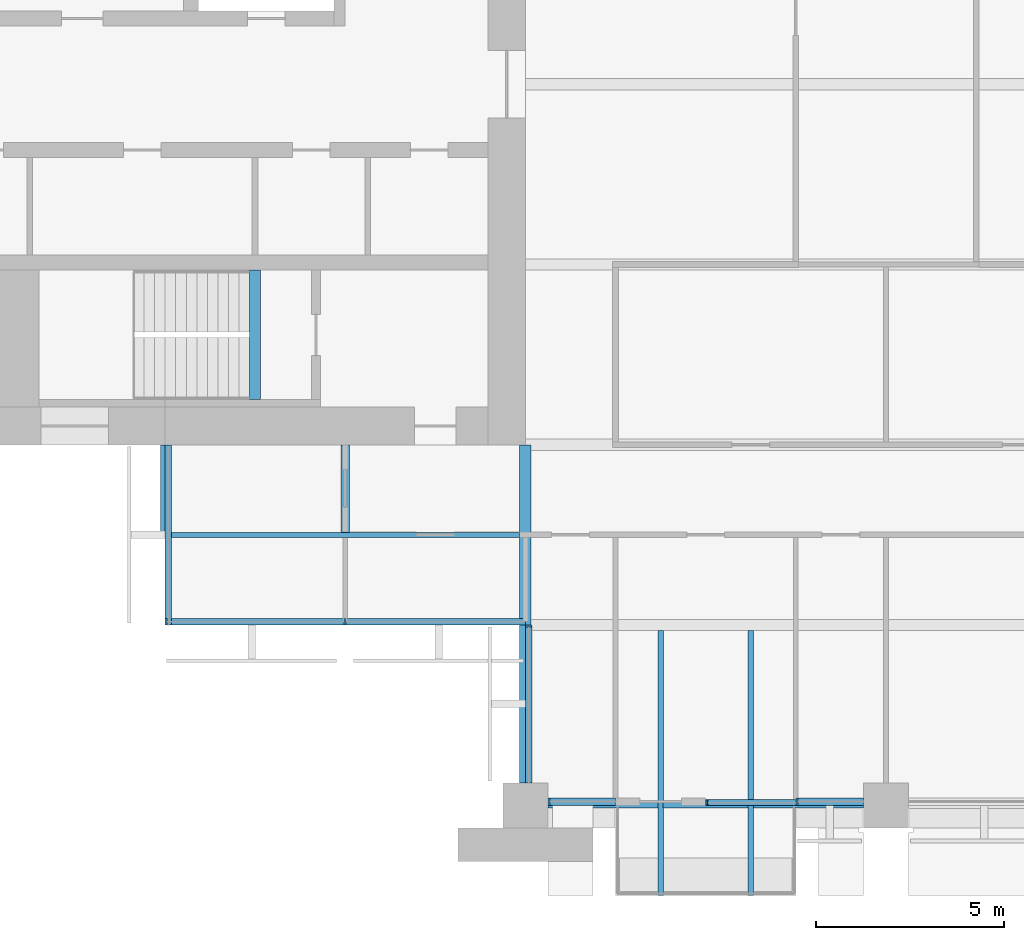
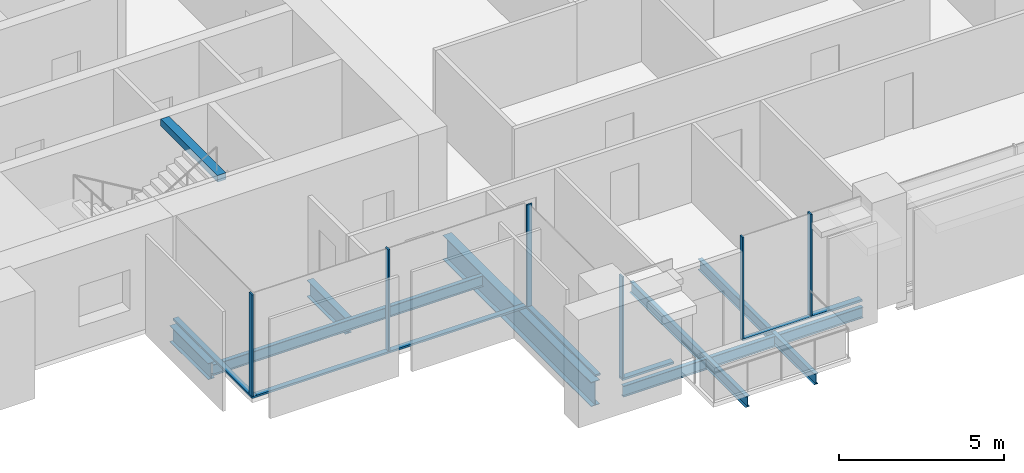
# One storey, part 2 of 15: 12 members, 10 beams, 6 elements without a shape of their own.
"""IFC4 building model written with IfcOpenShell, lengths in metres."""

import ifcopenshell
import ifcopenshell.guid

model = None  # the IFC model being written
_history = None  # IfcOwnerHistory: only IFC2X3 demands one
_inside = {}  # id of a spatial element -> (the spatial element, [elements in it])
_under = {}  # id of a project, library or spatial element -> (it, [spatial elements below it])
_declared = {}  # id of a project -> (the project, [libraries it declares])
_typed = {}  # id of a type object -> (the type object, [elements of that type])
_made_of = {}  # id of a material, layer set ... -> (it, [elements and type objects made of it])


def new_model(schema):
    """Start an empty IFC model of exactly this schema.

    Asked for "IFC4X3", IfcOpenShell would pick the latest addendum, in which some entities
    have other attributes; the version numbers below select the first issue.
    IFC2X3 requires an IfcOwnerHistory on every rooted entity: one is made here for all.
    """
    global model, _history
    if schema == "IFC4X3":
        model = ifcopenshell.file(schema_version=(4, 3, 0, 0))
    else:
        model = ifcopenshell.file(schema=schema)
    _inside.clear()
    _under.clear()
    _declared.clear()
    _typed.clear()
    _made_of.clear()
    _history = None
    if model.schema == "IFC2X3":
        org = make("IfcOrganization", Name="unknown")
        user = make(
            "IfcPersonAndOrganization",
            ThePerson=make("IfcPerson", FamilyName="unknown"),
            TheOrganization=org,
        )
        app = make(
            "IfcApplication",
            ApplicationDeveloper=org,
            Version="unknown",
            ApplicationFullName="unknown",
            ApplicationIdentifier="unknown",
        )
        _history = make(
            "IfcOwnerHistory",
            OwningUser=user,
            OwningApplication=app,
            ChangeAction="ADDED",
            CreationDate=0,
        )
    return model


def make(cls, **values):
    """One entity of the class cls with the attributes given. An attribute that is None is left unset."""
    return model.create_entity(
        cls, **{name: value for name, value in values.items() if value is not None}
    )


def rooted(cls, **values):
    """An entity with a GlobalId (a new one), such as an element, a storey or a relation."""
    return make(cls, GlobalId=ifcopenshell.guid.new(), OwnerHistory=_history, **values)


def si_unit(unit_type, name, prefix=None):
    """IfcSIUnit, for example si_unit("LENGTHUNIT", "METRE", prefix="MILLI")."""
    return make("IfcSIUnit", UnitType=unit_type, Prefix=prefix, Name=name)


def assignment(units):
    """IfcUnitAssignment: the units of a project."""
    return None if units is None else make("IfcUnitAssignment", Units=units)


def point(xyz):
    """IfcCartesianPoint."""
    return None if xyz is None else make("IfcCartesianPoint", Coordinates=xyz)


def direction(xyz):
    """IfcDirection."""
    return None if xyz is None else make("IfcDirection", DirectionRatios=xyz)


def frame(location, z_axis=None, x_axis=None):
    """IfcAxis2Placement3D, a coordinate frame: its origin and axes. An axis left out is left unset."""
    return make(
        "IfcAxis2Placement3D",
        Location=point(location),
        Axis=direction(z_axis),
        RefDirection=direction(x_axis),
    )


def frame_2d(location, x_axis=None):
    """IfcAxis2Placement2D, a coordinate frame in the plane: its origin and x axis."""
    return make(
        "IfcAxis2Placement2D", Location=point(location), RefDirection=direction(x_axis)
    )


def origin():
    """The frame at (0, 0, 0) with its axes left unset."""
    return frame((0.0, 0.0, 0.0))


def origin_2d():
    """The frame at (0, 0) in the plane with its x axis left unset."""
    return frame_2d((0.0, 0.0))


def place(relative_to, where):
    """IfcLocalPlacement: puts the frame where relative to a parent placement (None: the world)."""
    return make(
        "IfcLocalPlacement", PlacementRelTo=relative_to, RelativePlacement=where
    )


def context(
    kind, dimensions, precision=None, world=None, true_north=None, identifier=None
):
    """IfcGeometricRepresentationContext, for example the 3D "Model" context."""
    return make(
        "IfcGeometricRepresentationContext",
        ContextIdentifier=identifier,
        ContextType=kind,
        CoordinateSpaceDimension=dimensions,
        Precision=precision,
        WorldCoordinateSystem=world,
        TrueNorth=true_north,
    )


def subcontext(parent, identifier, kind, view, scale=None):
    """IfcGeometricRepresentationSubContext, for example "Body" below "Model"."""
    return make(
        "IfcGeometricRepresentationSubContext",
        ContextIdentifier=identifier,
        ContextType=kind,
        ParentContext=parent,
        TargetScale=scale,
        TargetView=view,
    )


def project(units=None, contexts=None):
    """IfcProject with its units and contexts."""
    return rooted(
        "IfcProject",
        Name="project",
        RepresentationContexts=contexts,
        UnitsInContext=assignment(units),
    )


def spatial(cls, under=None, at=None, **own):
    """A site, building, storey or space (cls), placed at a placement, below another one or the project."""
    s = rooted(cls, ObjectPlacement=at, **own)
    if under is not None:
        _under.setdefault(under.id(), (under, []))[1].append(s)
    return s


def profile(cls, at=None, kind="AREA", **sizes):
    """A parametric profile (cls). Its sizes go by their IFC names, for example OverallWidth=200.0."""
    return make(cls, ProfileType=kind, Position=at, **sizes)


def rectangle(**sizes):
    """IfcRectangleProfileDef."""
    return profile("IfcRectangleProfileDef", **sizes)


def i_section(**sizes):
    """IfcIShapeProfileDef."""
    return profile("IfcIShapeProfileDef", **sizes)


def extrude(swept, where, along, depth):
    """IfcExtrudedAreaSolid: the profile swept, set in the frame where, extruded along a direction by depth."""
    return make(
        "IfcExtrudedAreaSolid",
        SweptArea=swept,
        Position=where,
        ExtrudedDirection=direction(along),
        Depth=depth,
    )


def shape(context_of_items, identifier, shape_type, items):
    """IfcShapeRepresentation: the items that make up one representation, for example the "Body"."""
    return make(
        "IfcShapeRepresentation",
        ContextOfItems=context_of_items,
        RepresentationIdentifier=identifier,
        RepresentationType=shape_type,
        Items=items,
    )


def material(Name=None, Category=None):
    """IfcMaterial."""
    return make("IfcMaterial", Name=Name, Category=Category)


def material_profile(
    of_material, cross_section, Name=None, Category=None, Priority=None
):
    """IfcMaterialProfile: a cross section and its material."""
    return make(
        "IfcMaterialProfile",
        Name=Name,
        Material=of_material,
        Profile=cross_section,
        Priority=Priority,
        Category=Category,
    )


def profile_set(profiles, Name=None, composite=None):
    """IfcMaterialProfileSet."""
    return make(
        "IfcMaterialProfileSet",
        Name=Name,
        MaterialProfiles=profiles,
        CompositeProfile=composite,
    )


def made_of(thing, what):
    """Note that an element or type object is made of a material, layer set ...; save() writes the relation."""
    if what is not None:
        _made_of.setdefault(what.id(), (what, []))[1].append(thing)
    return thing


def type_object(cls, material=None, **own):
    """A type object (cls), such as IfcWallType, which elements share."""
    return made_of(rooted(cls, **own), material)


def element(
    cls,
    number,
    at=None,
    inside=None,
    cuts=None,
    type_object=None,
    material=None,
    context=None,
    identifier="Body",
    shape_type=None,
    held_by="IfcProductDefinitionShape",
    body=None,
    shapes=None,
    **own,
):
    """One element of the class cls, such as IfcWall. Its Tag is "e" and its number.

    at: its placement. inside: the storey or other place that contains it. cuts: it is an
    opening in that element (IfcRelVoidsElement). A single representation is given by context,
    identifier, shape_type and body (its items); several are given by shapes. held_by: the class
    of the entity that holds the representations. save() writes the other relations.
    """
    e = rooted(cls, Tag="e%d" % number, ObjectPlacement=at, **own)
    if body is not None:
        shapes = [shape(context, identifier, shape_type, body)]
    if shapes is not None:
        e.Representation = make(held_by, Representations=shapes)
    if inside is not None:
        _inside.setdefault(inside.id(), (inside, []))[1].append(e)
    if cuts is not None:
        rooted(
            "IfcRelVoidsElement", RelatingBuildingElement=cuts, RelatedOpeningElement=e
        )
    if type_object is not None:
        _typed.setdefault(type_object.id(), (type_object, []))[1].append(e)
    return made_of(e, material)


def aggregate(whole, parts):
    """IfcRelAggregates: a whole, such as a stair, and the parts it consists of."""
    return rooted("IfcRelAggregates", RelatingObject=whole, RelatedObjects=parts)


def save(model, path):
    """Write the relations noted so far, then the file.

    IfcRelAggregates (storeys below a building ...), IfcRelContainedInSpatialStructure (elements
    in a storey), IfcRelDefinesByType, IfcRelAssociatesMaterial and IfcRelDeclares: one each for
    every whole, place, type object, material and project.
    """
    for whole, parts in _under.values():
        aggregate(whole, parts)
    for where, things in _inside.values():
        rooted(
            "IfcRelContainedInSpatialStructure",
            RelatedElements=things,
            RelatingStructure=where,
        )
    for kind, things in _typed.values():
        rooted("IfcRelDefinesByType", RelatedObjects=things, RelatingType=kind)
    for what, things in _made_of.values():
        rooted("IfcRelAssociatesMaterial", RelatedObjects=things, RelatingMaterial=what)
    for by, libraries in _declared.values():
        rooted("IfcRelDeclares", RelatingContext=by, RelatedDefinitions=libraries)
    model.write(path)


model = new_model("IFC4")

# Units and contexts
model_context = context("Model", 3, precision=1e-05, world=origin(), true_north=direction((0.0, 1.0)))
body_context = subcontext(model_context, "Body", "Model", "MODEL_VIEW")
ifc_project = project(units=[si_unit("LENGTHUNIT", "METRE"), si_unit("AREAUNIT", "SQUARE_METRE"), si_unit("VOLUMEUNIT", "CUBIC_METRE"), si_unit("PLANEANGLEUNIT", "RADIAN"), si_unit("MASSUNIT", "GRAM", prefix="KILO")], contexts=[model_context])

# Site, building, storey
site_placement = place(None, origin())
site = spatial("IfcSite", under=ifc_project, at=site_placement, CompositionType="ELEMENT")
building_placement = place(site_placement, origin())
building = spatial("IfcBuilding", under=site, at=building_placement, Name="Baori Bourse Tower", CompositionType="ELEMENT")
storey_placement = place(building_placement, frame((0.0, 0.0, 152.10009765625)))
storey = spatial("IfcBuildingStorey", under=building, at=storey_placement, Name="L33", CompositionType="ELEMENT", Elevation=152.10009765625)

# Beams
ifc_material_1 = material(Name="Steel A992 Gr 50", Category="steel")
ifc_material_profile_1 = material_profile(ifc_material_1, i_section(OverallWidth=0.140380859375, OverallDepth=0.40380859375, WebThickness=0.007080078125, FlangeThickness=0.01123046875, at=origin_2d()), Name="W16x31")
ifc_profile_set_1 = profile_set([ifc_material_profile_1], Name="Steel A992 Gr 50")
beam_type_1 = type_object("IfcBeamType", Name="Balcony beam W16x31", PredefinedType="BEAM", material=ifc_profile_set_1)
for number, where, z_axis, x_axis, name in (
    (1, (22.800048828125, -2.39990234375, -0.362060546875), (0.0, 1.0, 0.0), (-1.0, 0.0, 0.0), "Balcony beam L33"),
    (2, (25.199951171875, -2.39990234375, -0.362060546875), (0.0, 1.0, 0.0), (-1.0, 0.0, 0.0), "Balcony beam L33"),
):
    element("IfcBeam", number, at=place(storey_placement, frame(where, z_axis=z_axis, x_axis=x_axis)), inside=storey, type_object=beam_type_1, Name=name, PredefinedType="BEAM", context=body_context, shape_type="SweptSolid", body=[
        extrude(i_section(OverallWidth=0.140380859375, OverallDepth=0.40380859375, WebThickness=0.007080078125, FlangeThickness=0.01123046875, at=origin_2d()), origin(), (0.0, 0.0, 1.0), 7.050048828125),
    ])

# Curtain wall, member
ifc_material_2 = material(Name="Pale anodised aluminium", Category="aluminium")
curtain_wall_type_1 = type_object("IfcCurtainWallType", Name="CW1 Curtain wall", PredefinedType="NOTDEFINED", material=ifc_material_2)
curtain_wall_1_placement = place(storey_placement, origin())
curtain_wall_1 = element("IfcCurtainWall", 3, at=curtain_wall_1_placement, inside=storey, type_object=curtain_wall_type_1, Name="Curtain wall CW1 L33 13", PredefinedType="NOTDEFINED")
ifc_material_3 = material(Name="Pale anodised aluminium", Category="aluminium")
ifc_material_profile_2 = material_profile(ifc_material_3, rectangle(XDim=0.199951171875, YDim=0.06005859375, at=origin_2d()), Name="Mullion 60x200")
ifc_profile_set_2 = profile_set([ifc_material_profile_2], Name="Pale anodised aluminium")
member_type_1 = type_object("IfcMemberType", Name="CW1 Curtain wall mullion", PredefinedType="MULLION", material=ifc_profile_set_2)
member_1_placement = place(storey_placement, frame((19.830078125, 0.10009765625, 0.079833984375), z_axis=(0.0, 0.0, 1.0), x_axis=(0.0, 1.0, 0.0)))
member_1 = element("IfcMember", 4, at=member_1_placement, type_object=member_type_1, Name="Curtain wall CW1 mullion", PredefinedType="MULLION", context=body_context, shape_type="SweptSolid", body=[
    extrude(rectangle(XDim=0.199951171875, YDim=0.06005859375, at=origin_2d()), origin(), (0.0, 0.0, 1.0), 3.760009765625),
])

curtain_wall_2_placement = place(storey_placement, origin())
curtain_wall_2 = element("IfcCurtainWall", 5, at=curtain_wall_2_placement, inside=storey, type_object=curtain_wall_type_1, Name="Curtain wall CW1 L33 15", PredefinedType="NOTDEFINED")
member_2_placement = place(storey_placement, frame((26.429931640625, 0.10009765625, 0.079833984375), z_axis=(0.0, 0.0, 1.0), x_axis=(0.0, 1.0, 0.0)))
member_2 = element("IfcMember", 6, at=member_2_placement, type_object=member_type_1, Name="Curtain wall CW1 mullion", PredefinedType="MULLION", context=body_context, shape_type="SweptSolid", body=[
    extrude(rectangle(XDim=0.199951171875, YDim=0.06005859375, at=origin_2d()), origin(), (0.0, 0.0, 1.0), 3.760009765625),
])

# Member
ifc_material_4 = material(Name="Pale anodised aluminium", Category="aluminium")
ifc_material_profile_3 = material_profile(ifc_material_4, rectangle(XDim=0.199951171875, YDim=0.080078125, at=origin_2d()), Name="Transom 80x200")
ifc_profile_set_3 = profile_set([ifc_material_profile_3], Name="Pale anodised aluminium")
member_type_2 = type_object("IfcMemberType", Name="CW1 Curtain wall transom", PredefinedType="USERDEFINED", material=ifc_profile_set_3)
member_3_placement = place(storey_placement, frame((19.800048828125, 0.10009765625, 0.039794921875), z_axis=(1.0, 0.0, 0.0), x_axis=(0.0, 1.0, 0.0)))
member_3 = element("IfcMember", 7, at=member_3_placement, type_object=member_type_2, Name="Curtain wall CW1 sill rail", ObjectType="TRANSOM", PredefinedType="USERDEFINED", context=body_context, shape_type="SweptSolid", body=[
    extrude(rectangle(XDim=0.199951171875, YDim=0.080078125, at=origin_2d()), origin(), (0.0, 0.0, 1.0), 1.800048828125),
])

aggregate(curtain_wall_1, [member_3, member_1])

member_4_placement = place(storey_placement, frame((26.39990234375, 0.10009765625, 0.039794921875), z_axis=(1.0, 0.0, 0.0), x_axis=(0.0, 1.0, 0.0)))
member_4 = element("IfcMember", 8, at=member_4_placement, type_object=member_type_2, Name="Curtain wall CW1 sill rail", ObjectType="TRANSOM", PredefinedType="USERDEFINED", context=body_context, shape_type="SweptSolid", body=[
    extrude(rectangle(XDim=0.199951171875, YDim=0.080078125, at=origin_2d()), origin(), (0.0, 0.0, 1.0), 1.800048828125),
])

aggregate(curtain_wall_2, [member_4, member_2])

# Curtain wall, members
ifc_material_5 = material(Name="Pale anodised aluminium", Category="aluminium")
curtain_wall_type_2 = type_object("IfcCurtainWallType", Name="CW2 Curtain wall", PredefinedType="NOTDEFINED", material=ifc_material_5)
curtain_wall_3_placement = place(storey_placement, origin())
curtain_wall_3 = element("IfcCurtainWall", 9, at=curtain_wall_3_placement, inside=storey, type_object=curtain_wall_type_2, Name="Curtain wall CW2 L33 11", PredefinedType="NOTDEFINED")
ifc_material_6 = material(Name="Pale anodised aluminium", Category="aluminium")
ifc_material_profile_4 = material_profile(ifc_material_6, rectangle(XDim=0.179931640625, YDim=0.054931640625, at=origin_2d()), Name="Mullion 55x180")
ifc_profile_set_4 = profile_set([ifc_material_profile_4], Name="Pale anodised aluminium")
member_type_3 = type_object("IfcMemberType", Name="CW2 Curtain wall mullion", PredefinedType="MULLION", material=ifc_profile_set_4)
member_5_placement = place(storey_placement, frame((9.62744140625, 4.889892578125, 0.06982421875), z_axis=(0.0, 0.0, 1.0), x_axis=(0.0, 1.0, 0.0)))
member_5 = element("IfcMember", 10, at=member_5_placement, type_object=member_type_3, Name="Curtain wall CW2 mullion", PredefinedType="MULLION", context=body_context, shape_type="SweptSolid", body=[
    extrude(rectangle(XDim=0.179931640625, YDim=0.054931640625, at=origin_2d()), origin(), (0.0, 0.0, 1.0), 3.77001953125),
])
member_6_placement = place(storey_placement, frame((14.39990234375, 4.889892578125, 0.06982421875), z_axis=(0.0, 0.0, 1.0), x_axis=(0.0, 1.0, 0.0)))
member_6 = element("IfcMember", 11, at=member_6_placement, type_object=member_type_3, Name="Curtain wall CW2 mullion", PredefinedType="MULLION", context=body_context, shape_type="SweptSolid", body=[
    extrude(rectangle(XDim=0.179931640625, YDim=0.054931640625, at=origin_2d()), origin(), (0.0, 0.0, 1.0), 3.77001953125),
])

# Curtain wall, member
curtain_wall_4_placement = place(storey_placement, origin())
curtain_wall_4 = element("IfcCurtainWall", 12, at=curtain_wall_4_placement, inside=storey, type_object=curtain_wall_type_2, Name="Curtain wall CW2 L33 12", PredefinedType="NOTDEFINED")
member_7_placement = place(storey_placement, frame((19.2900390625, 4.7724609375, 0.06982421875), z_axis=(0.0, 0.0, 1.0), x_axis=(1.0, 0.0, 0.0)))
member_7 = element("IfcMember", 13, at=member_7_placement, type_object=member_type_3, Name="Curtain wall CW2 mullion", PredefinedType="MULLION", context=body_context, shape_type="SweptSolid", body=[
    extrude(rectangle(XDim=0.179931640625, YDim=0.054931640625, at=origin_2d()), origin(), (0.0, 0.0, 1.0), 3.77001953125),
])

curtain_wall_5_placement = place(storey_placement, origin())
curtain_wall_5 = element("IfcCurtainWall", 14, at=curtain_wall_5_placement, inside=storey, type_object=curtain_wall_type_2, Name="Curtain wall CW2 L33 10", PredefinedType="NOTDEFINED")
ifc_material_7 = material(Name="Pale anodised aluminium", Category="aluminium")
ifc_material_profile_5 = material_profile(ifc_material_7, rectangle(XDim=0.179931640625, YDim=0.070068359375, at=origin_2d()), Name="Transom 70x180")
ifc_profile_set_5 = profile_set([ifc_material_profile_5], Name="Pale anodised aluminium")
member_type_4 = type_object("IfcMemberType", Name="CW2 Curtain wall transom", PredefinedType="USERDEFINED", material=ifc_profile_set_5)
member_8_placement = place(storey_placement, frame((9.68994140625, 9.60009765625, 0.034912109375), z_axis=(0.0, -1.0, 0.0), x_axis=(1.0, 0.0, 0.0)))
member_8 = element("IfcMember", 15, at=member_8_placement, type_object=member_type_4, Name="Curtain wall CW2 sill rail", ObjectType="TRANSOM", PredefinedType="USERDEFINED", context=body_context, shape_type="SweptSolid", body=[
    extrude(rectangle(XDim=0.179931640625, YDim=0.070068359375, at=origin_2d()), origin(), (0.0, 0.0, 1.0), 4.800048828125),
])
aggregate(curtain_wall_5, [member_8])

# Member
member_9_placement = place(storey_placement, frame((9.60009765625, 4.889892578125, 0.034912109375), z_axis=(1.0, 0.0, 0.0), x_axis=(0.0, 1.0, 0.0)))
member_9 = element("IfcMember", 16, at=member_9_placement, type_object=member_type_4, Name="Curtain wall CW2 sill rail", ObjectType="TRANSOM", PredefinedType="USERDEFINED", context=body_context, shape_type="SweptSolid", body=[
    extrude(rectangle(XDim=0.179931640625, YDim=0.070068359375, at=origin_2d()), origin(), (0.0, 0.0, 1.0), 9.599853515625),
])

aggregate(curtain_wall_3, [member_9, member_5, member_6])

member_10_placement = place(storey_placement, frame((19.2900390625, 4.800048828125, 0.034912109375), z_axis=(0.0, -1.0, 0.0), x_axis=(1.0, 0.0, 0.0)))
member_10 = element("IfcMember", 17, at=member_10_placement, type_object=member_type_4, Name="Curtain wall CW2 sill rail", ObjectType="TRANSOM", PredefinedType="USERDEFINED", context=body_context, shape_type="SweptSolid", body=[
    extrude(rectangle(XDim=0.179931640625, YDim=0.070068359375, at=origin_2d()), origin(), (0.0, 0.0, 1.0), 4.199951171875),
])

aggregate(curtain_wall_4, [member_10, member_7])

# Curtain wall, members
ifc_material_8 = material(Name="Pale anodised aluminium", Category="aluminium")
curtain_wall_type_3 = type_object("IfcCurtainWallType", Name="CW6 Curtain wall", PredefinedType="NOTDEFINED", material=ifc_material_8)
curtain_wall_6_placement = place(storey_placement, origin())
curtain_wall_6 = element("IfcCurtainWall", 18, at=curtain_wall_6_placement, inside=storey, type_object=curtain_wall_type_3, Name="Curtain wall CW6 L33 14", PredefinedType="NOTDEFINED")
ifc_material_9 = material(Name="Pale anodised aluminium", Category="aluminium")
ifc_material_profile_6 = material_profile(ifc_material_9, rectangle(XDim=0.14990234375, YDim=0.050048828125, at=origin_2d()), Name="Mullion 50x150")
ifc_profile_set_6 = profile_set([ifc_material_profile_6], Name="Pale anodised aluminium")
member_type_5 = type_object("IfcMemberType", Name="CW6 Curtain wall mullion", PredefinedType="MULLION", material=ifc_profile_set_6)
member_11_placement = place(storey_placement, frame((24.02490234375, 0.074951171875, 0.06494140625), z_axis=(0.0, 0.0, 1.0), x_axis=(0.0, 1.0, 0.0)))
member_11 = element("IfcMember", 19, at=member_11_placement, type_object=member_type_5, Name="Curtain wall CW6 mullion", PredefinedType="MULLION", context=body_context, shape_type="SweptSolid", body=[
    extrude(rectangle(XDim=0.14990234375, YDim=0.050048828125, at=origin_2d()), origin(), (0.0, 0.0, 1.0), 3.77490234375),
])
ifc_material_10 = material(Name="Pale anodised aluminium", Category="aluminium")
ifc_material_profile_7 = material_profile(ifc_material_10, rectangle(XDim=0.14990234375, YDim=0.06494140625, at=origin_2d()), Name="Transom 65x150")
ifc_profile_set_7 = profile_set([ifc_material_profile_7], Name="Pale anodised aluminium")
member_type_6 = type_object("IfcMemberType", Name="CW6 Curtain wall transom", PredefinedType="USERDEFINED", material=ifc_profile_set_7)
member_12_placement = place(storey_placement, frame((24.0, 0.074951171875, 0.032470703125), z_axis=(1.0, 0.0, 0.0), x_axis=(0.0, 1.0, 0.0)))
member_12 = element("IfcMember", 20, at=member_12_placement, type_object=member_type_6, Name="Curtain wall CW6 sill rail", ObjectType="TRANSOM", PredefinedType="USERDEFINED", context=body_context, shape_type="SweptSolid", body=[
    extrude(rectangle(XDim=0.14990234375, YDim=0.06494140625, at=origin_2d()), origin(), (0.0, 0.0, 1.0), 2.39990234375),
])
aggregate(curtain_wall_6, [member_12, member_11])

# Beams
ifc_material_11 = material(Name="Steel A992 Gr 50", Category="steel")
ifc_material_profile_8 = material_profile(ifc_material_11, i_section(OverallWidth=0.227783203125, OverallDepth=0.60205078125, WebThickness=0.010498046875, FlangeThickness=0.014892578125, at=origin_2d()), Name="W24x68")
ifc_profile_set_8 = profile_set([ifc_material_profile_8], Name="Steel A992 Gr 50")
beam_type_2 = type_object("IfcBeamType", Name="Core bracket W24x68", PredefinedType="BEAM", material=ifc_profile_set_8)
for number, where, z_axis, x_axis, name in (
    (21, (9.60009765625, 7.270263671875, -0.461181640625), (0.0, 1.0, 0.0), (-1.0, 0.0, 0.0), "Core bracket L33"),
    (22, (14.39990234375, 7.270263671875, -0.461181640625), (0.0, 1.0, 0.0), (-1.0, 0.0, 0.0), "Core bracket L33"),
):
    element("IfcBeam", number, at=place(storey_placement, frame(where, z_axis=z_axis, x_axis=x_axis)), inside=storey, type_object=beam_type_2, Name=name, PredefinedType="BEAM", context=body_context, shape_type="SweptSolid", body=[
        extrude(i_section(OverallWidth=0.227783203125, OverallDepth=0.60205078125, WebThickness=0.010498046875, FlangeThickness=0.014892578125, at=origin_2d()), origin(), (0.0, 0.0, 1.0), 2.329833984375),
    ])
ifc_material_12 = material(Name="Steel A992 Gr 50", Category="steel")
ifc_material_profile_9 = material_profile(ifc_material_12, i_section(OverallWidth=0.140380859375, OverallDepth=0.40380859375, WebThickness=0.007080078125, FlangeThickness=0.01123046875, at=origin_2d()), Name="W16x31")
ifc_profile_set_9 = profile_set([ifc_material_profile_9], Name="Steel A992 Gr 50")
beam_type_3 = type_object("IfcBeamType", Name="Edge beam W16x31", PredefinedType="BEAM", material=ifc_profile_set_9)
beam_1_placement = place(storey_placement, frame((19.800048828125, 0.0, -0.362060546875), z_axis=(1.0, 0.0, 0.0), x_axis=(0.0, 1.0, 0.0)))
element("IfcBeam", 23, at=beam_1_placement, inside=storey, type_object=beam_type_3, Name="Edge beam L33", PredefinedType="BEAM", context=body_context, shape_type="SweptSolid", body=[
    extrude(i_section(OverallWidth=0.140380859375, OverallDepth=0.40380859375, WebThickness=0.007080078125, FlangeThickness=0.01123046875, at=origin_2d()), origin(), (0.0, 0.0, 1.0), 2.9296875),
])
beam_2_placement = place(storey_placement, frame((22.8701171875, 0.0, -0.362060546875), z_axis=(1.0, 0.0, 0.0), x_axis=(0.0, 1.0, 0.0)))
element("IfcBeam", 24, at=beam_2_placement, inside=storey, type_object=beam_type_3, Name="Edge beam L33", PredefinedType="BEAM", context=body_context, shape_type="SweptSolid", body=[
    extrude(i_section(OverallWidth=0.140380859375, OverallDepth=0.40380859375, WebThickness=0.007080078125, FlangeThickness=0.01123046875, at=origin_2d()), origin(), (0.0, 0.0, 1.0), 2.259765625),
])
beam_3_placement = place(storey_placement, frame((25.270263671875, 0.0, -0.362060546875), z_axis=(1.0, 0.0, 0.0), x_axis=(0.0, 1.0, 0.0)))
element("IfcBeam", 25, at=beam_3_placement, inside=storey, type_object=beam_type_3, Name="Edge beam L33", PredefinedType="BEAM", context=body_context, shape_type="SweptSolid", body=[
    extrude(i_section(OverallWidth=0.140380859375, OverallDepth=0.40380859375, WebThickness=0.007080078125, FlangeThickness=0.01123046875, at=origin_2d()), origin(), (0.0, 0.0, 1.0), 2.9296875),
])
ifc_material_13 = material(Name="Steel A992 Gr 50", Category="steel")
ifc_material_profile_10 = material_profile(ifc_material_13, i_section(OverallWidth=0.3046875, OverallDepth=0.904296875, WebThickness=0.01513671875, FlangeThickness=0.02001953125, at=origin_2d()), Name="W36x135")
ifc_profile_set_10 = profile_set([ifc_material_profile_10], Name="Steel A992 Gr 50")
beam_type_4 = type_object("IfcBeamType", Name="Girder W36x135", PredefinedType="BEAM", material=ifc_profile_set_10)
beam_4_placement = place(storey_placement, frame((19.199951171875, 0.60009765625, -0.6123046875), z_axis=(0.0, 1.0, 0.0), x_axis=(-1.0, 0.0, 0.0)))
element("IfcBeam", 26, at=beam_4_placement, inside=storey, type_object=beam_type_4, Name="Girder L33", PredefinedType="BEAM", context=body_context, shape_type="SweptSolid", body=[
    extrude(i_section(OverallWidth=0.3046875, OverallDepth=0.904296875, WebThickness=0.01513671875, FlangeThickness=0.02001953125, at=origin_2d()), origin(), (0.0, 0.0, 1.0), 9.0),
])
ifc_material_14 = material(Name="Concrete f'c 50 MPa", Category="concrete")
ifc_material_profile_11 = material_profile(ifc_material_14, rectangle(XDim=0.300048828125, YDim=0.25, at=origin_2d()), Name="RC 300x250")
ifc_profile_set_11 = profile_set([ifc_material_profile_11], Name="Concrete f'c 50 MPa")
beam_type_5 = type_object("IfcBeamType", Name="Stair nib beam RC 300x250", PredefinedType="BEAM", material=ifc_profile_set_11)
beam_5_placement = place(storey_placement, frame((12.0, 10.800048828125, 3.71484375), z_axis=(0.0, 1.0, 0.0), x_axis=(-1.0, 0.0, 0.0)))
element("IfcBeam", 27, at=beam_5_placement, inside=storey, type_object=beam_type_5, Name="Stair WA nib beam L34", PredefinedType="BEAM", context=body_context, shape_type="SweptSolid", body=[
    extrude(rectangle(XDim=0.300048828125, YDim=0.25, at=origin_2d()), origin(), (0.0, 0.0, 1.0), 3.449951171875),
])
ifc_material_15 = material(Name="Steel A992 Gr 50", Category="steel")
ifc_material_profile_12 = material_profile(ifc_material_15, i_section(OverallWidth=0.140380859375, OverallDepth=0.40380859375, WebThickness=0.007080078125, FlangeThickness=0.01123046875, at=origin_2d()), Name="W16x31")
ifc_profile_set_12 = profile_set([ifc_material_profile_12], Name="Steel A992 Gr 50")
beam_type_6 = type_object("IfcBeamType", Name="Trimmer beam W16x31", PredefinedType="BEAM", material=ifc_profile_set_12)
beam_6_placement = place(storey_placement, frame((9.60009765625, 7.199951171875, -0.362060546875), z_axis=(1.0, 0.0, 0.0), x_axis=(0.0, 1.0, 0.0)))
element("IfcBeam", 28, at=beam_6_placement, inside=storey, type_object=beam_type_6, Name="Trimmer beam L33", PredefinedType="BEAM", context=body_context, shape_type="SweptSolid", body=[
    extrude(i_section(OverallWidth=0.140380859375, OverallDepth=0.40380859375, WebThickness=0.007080078125, FlangeThickness=0.01123046875, at=origin_2d()), origin(), (0.0, 0.0, 1.0), 9.447509765625),
])

save(model, "model.ifc")
